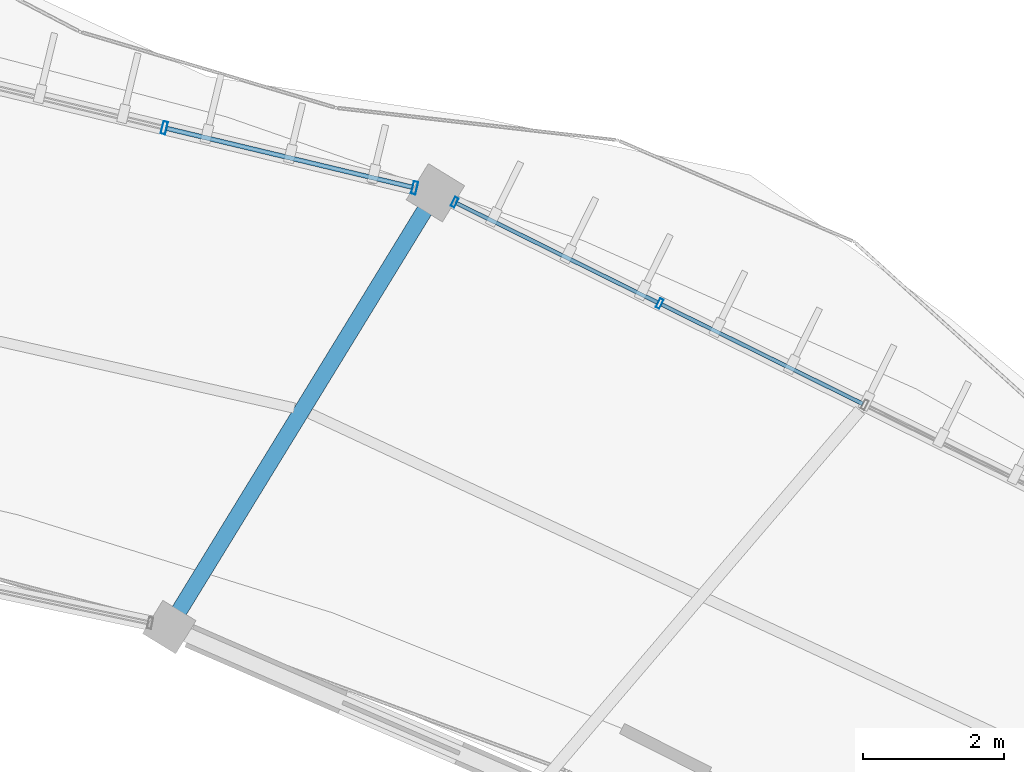
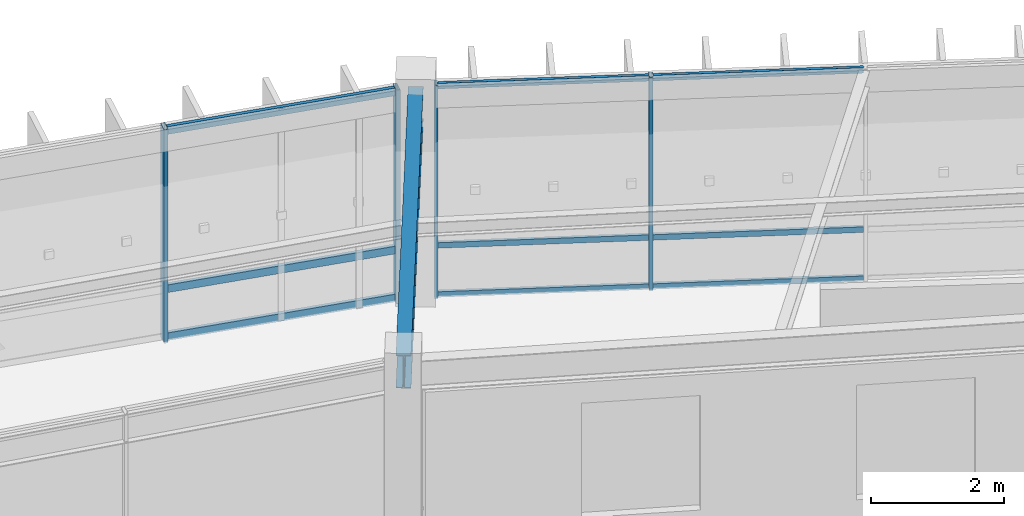
# One storey, part 51 of 83: 13 members, 1 beam, 2 elements without a shape of their own.
"""IFC4 building model written with IfcOpenShell, lengths in metres."""

from ifc_helpers import new_model, si_unit, direction, frame, origin, origin_2d, place, context, subcontext, project, spatial, hollow_rectangle, i_section, extrude, material, material_profile, profile_set, type_object, element, aggregate, save


model = new_model("IFC4")

# Units and contexts
model_context = context("Model", 3, precision=1e-05, world=origin(), true_north=direction((0.0, 1.0)))
body_context = subcontext(model_context, "Body", "Model", "MODEL_VIEW")
ifc_project = project(units=[si_unit("LENGTHUNIT", "METRE"), si_unit("AREAUNIT", "SQUARE_METRE"), si_unit("VOLUMEUNIT", "CUBIC_METRE"), si_unit("PLANEANGLEUNIT", "RADIAN"), si_unit("MASSUNIT", "GRAM", prefix="KILO"), si_unit("THERMODYNAMICTEMPERATUREUNIT", "KELVIN"), si_unit("POWERUNIT", "WATT")], contexts=[model_context])

# Site, building, storey
site_placement = place(None, origin())
site = spatial("IfcSite", under=ifc_project, at=site_placement, CompositionType="ELEMENT")
building_placement = place(site_placement, origin())
building = spatial("IfcBuilding", under=site, at=building_placement, Name="Darbajah Civic Hall", CompositionType="ELEMENT")
storey_placement = place(building_placement, frame((0.0, 0.0, 18.0)))
storey = spatial("IfcBuildingStorey", under=building, at=storey_placement, Name="L04", CompositionType="ELEMENT", Elevation=18.0)

# Curtain wall, members
ifc_material_1 = material(Name="Anodised Bronze Aluminium and Low-E Glazing", Category="aluminium")
curtain_wall_type_1 = type_object("IfcCurtainWallType", Name="Unitised Curtain Wall CW-56 12900x3900", PredefinedType="USERDEFINED", material=ifc_material_1)
curtain_wall_1_placement = place(storey_placement, origin())
curtain_wall_1 = element("IfcCurtainWall", 1, at=curtain_wall_1_placement, inside=storey, type_object=curtain_wall_type_1, Name="L04 unitised curtain wall CW-V1O-L04-02", ObjectType="UNITISED CURTAIN WALL", PredefinedType="USERDEFINED")
ifc_material_2 = material(Name="Anodised Bronze Aluminium", Category="aluminium")
ifc_material_profile_1 = material_profile(ifc_material_2, hollow_rectangle(XDim=0.054931640625, YDim=0.139892578125, WallThickness=0.003173828125, at=origin_2d()), Name="ALU MULLION 55x140")
ifc_profile_set_1 = profile_set([ifc_material_profile_1], Name="Anodised Bronze Aluminium")
member_type_1 = type_object("IfcMemberType", Name="ALU MULLION 55x140", PredefinedType="MULLION", material=ifc_profile_set_1)
member_1_placement = place(storey_placement, frame((118.916015625, 113.387451171875, 0.0), z_axis=(0.0, 0.0, 1.0), x_axis=(-0.89656374724, 0.442914717678, 0.0)))
member_1 = element("IfcMember", 2, at=member_1_placement, type_object=member_type_1, Name="CW-V1O-L04-02 mullion 4", PredefinedType="MULLION", context=body_context, shape_type="SweptSolid", body=[
    extrude(hollow_rectangle(XDim=0.054931640625, YDim=0.139892578125, WallThickness=0.003173828125, at=origin_2d()), origin(), (0.0, 0.0, 1.0), 3.919921875),
])
member_2_placement = place(storey_placement, frame((116.018310546875, 114.819091796875, 0.0), z_axis=(0.0, 0.0, 1.0), x_axis=(-0.89656374724, 0.442914717678, 0.0)))
member_2 = element("IfcMember", 3, at=member_2_placement, type_object=member_type_1, Name="CW-V1O-L04-02 mullion 5", PredefinedType="MULLION", context=body_context, shape_type="SweptSolid", body=[
    extrude(hollow_rectangle(XDim=0.054931640625, YDim=0.139892578125, WallThickness=0.003173828125, at=origin_2d()), origin(), (0.0, 0.0, 1.0), 3.919921875),
])

curtain_wall_type_2 = type_object("IfcCurtainWallType", Name="Unitised Curtain Wall CW-64 14600x3900", PredefinedType="USERDEFINED", material=ifc_material_1)
curtain_wall_2_placement = place(storey_placement, origin())
curtain_wall_2 = element("IfcCurtainWall", 4, at=curtain_wall_2_placement, inside=storey, type_object=curtain_wall_type_2, Name="L04 unitised curtain wall CW-V1O-L04-03", ObjectType="UNITISED CURTAIN WALL", PredefinedType="USERDEFINED")
ifc_material_profile_2 = material_profile(ifc_material_2, hollow_rectangle(XDim=0.06494140625, YDim=0.179931640625, WallThickness=0.00390625, at=origin_2d()), Name="ALU MULLION 65x180")
ifc_profile_set_2 = profile_set([ifc_material_profile_2], Name="Anodised Bronze Aluminium")
member_type_2 = type_object("IfcMemberType", Name="ALU MULLION 65x180", PredefinedType="MULLION", material=ifc_profile_set_2)
member_3_placement = place(storey_placement, frame((115.45361328125, 115.023193359375, 0.0), z_axis=(0.0, 0.0, 1.0), x_axis=(-0.972492018808, 0.232936200179, 0.0)))
member_3 = element("IfcMember", 5, at=member_3_placement, type_object=member_type_2, Name="CW-V1O-L04-03 mullion 1", PredefinedType="MULLION", context=body_context, shape_type="SweptSolid", body=[
    extrude(hollow_rectangle(XDim=0.06494140625, YDim=0.179931640625, WallThickness=0.00390625, at=origin_2d()), origin(), (0.0, 0.0, 1.0), 3.919921875),
])
member_4_placement = place(storey_placement, frame((111.9150390625, 115.87109375, 0.0), z_axis=(0.0, 0.0, 1.0), x_axis=(-0.972492018808, 0.232936200179, 0.0)))
member_4 = element("IfcMember", 6, at=member_4_placement, type_object=member_type_2, Name="CW-V1O-L04-03 mullion 2", PredefinedType="MULLION", context=body_context, shape_type="SweptSolid", body=[
    extrude(hollow_rectangle(XDim=0.06494140625, YDim=0.179931640625, WallThickness=0.00390625, at=origin_2d()), origin(), (0.0, 0.0, 1.0), 3.919921875),
])

# Member
ifc_material_profile_3 = material_profile(ifc_material_2, hollow_rectangle(XDim=0.054931640625, YDim=0.10009765625, WallThickness=0.0029296875, at=origin_2d()), Name="ALU TRANSOM 55x100")
ifc_profile_set_3 = profile_set([ifc_material_profile_3], Name="Anodised Bronze Aluminium")
member_type_3 = type_object("IfcMemberType", Name="ALU TRANSOM 55x100", PredefinedType="USERDEFINED", material=ifc_profile_set_3)
member_5_placement = place(storey_placement, frame((121.784912109375, 111.97021484375, 0.050048828125), z_axis=(-0.896559847895, 0.442922610782, 0.0), x_axis=(-0.442922610782, -0.896559847895, 0.0)))
member_5 = element("IfcMember", 7, at=member_5_placement, type_object=member_type_3, Name="CW-V1O-L04-02 transom 3.1", ObjectType="TRANSOM", PredefinedType="USERDEFINED", context=body_context, shape_type="SweptSolid", body=[
    extrude(hollow_rectangle(XDim=0.054931640625, YDim=0.10009765625, WallThickness=0.0029296875, at=origin_2d()), origin(), (0.0, 0.0, 1.0), 3.167236328125),
])

member_6_placement = place(storey_placement, frame((121.784912109375, 111.97021484375, 0.949951171875), z_axis=(-0.896559847895, 0.442922610782, 0.0), x_axis=(-0.442922610782, -0.896559847895, 0.0)))
member_6 = element("IfcMember", 8, at=member_6_placement, type_object=member_type_3, Name="CW-V1O-L04-02 transom 3.2", ObjectType="TRANSOM", PredefinedType="USERDEFINED", context=body_context, shape_type="SweptSolid", body=[
    extrude(hollow_rectangle(XDim=0.054931640625, YDim=0.10009765625, WallThickness=0.0029296875, at=origin_2d()), origin(), (0.0, 0.0, 1.0), 3.167236328125),
])

member_7_placement = place(storey_placement, frame((121.784912109375, 111.97021484375, 3.8701171875), z_axis=(-0.896559847895, 0.442922610782, 0.0), x_axis=(-0.442922610782, -0.896559847895, 0.0)))
member_7 = element("IfcMember", 9, at=member_7_placement, type_object=member_type_3, Name="CW-V1O-L04-02 transom 3.3", ObjectType="TRANSOM", PredefinedType="USERDEFINED", context=body_context, shape_type="SweptSolid", body=[
    extrude(hollow_rectangle(XDim=0.054931640625, YDim=0.10009765625, WallThickness=0.0029296875, at=origin_2d()), origin(), (0.0, 0.0, 1.0), 3.167236328125),
])

member_8_placement = place(storey_placement, frame((118.886962890625, 113.40185546875, 0.050048828125), z_axis=(-0.896559847895, 0.442922610782, 0.0), x_axis=(-0.442922610782, -0.896559847895, 0.0)))
member_8 = element("IfcMember", 10, at=member_8_placement, type_object=member_type_3, Name="CW-V1O-L04-02 transom 4.1", ObjectType="TRANSOM", PredefinedType="USERDEFINED", context=body_context, shape_type="SweptSolid", body=[
    extrude(hollow_rectangle(XDim=0.054931640625, YDim=0.10009765625, WallThickness=0.0029296875, at=origin_2d()), origin(), (0.0, 0.0, 1.0), 3.167236328125),
])

member_9_placement = place(storey_placement, frame((118.886962890625, 113.40185546875, 0.949951171875), z_axis=(-0.896559847895, 0.442922610782, 0.0), x_axis=(-0.442922610782, -0.896559847895, 0.0)))
member_9 = element("IfcMember", 11, at=member_9_placement, type_object=member_type_3, Name="CW-V1O-L04-02 transom 4.2", ObjectType="TRANSOM", PredefinedType="USERDEFINED", context=body_context, shape_type="SweptSolid", body=[
    extrude(hollow_rectangle(XDim=0.054931640625, YDim=0.10009765625, WallThickness=0.0029296875, at=origin_2d()), origin(), (0.0, 0.0, 1.0), 3.167236328125),
])

member_10_placement = place(storey_placement, frame((118.886962890625, 113.40185546875, 3.8701171875), z_axis=(-0.896559847895, 0.442922610782, 0.0), x_axis=(-0.442922610782, -0.896559847895, 0.0)))
member_10 = element("IfcMember", 12, at=member_10_placement, type_object=member_type_3, Name="CW-V1O-L04-02 transom 4.3", ObjectType="TRANSOM", PredefinedType="USERDEFINED", context=body_context, shape_type="SweptSolid", body=[
    extrude(hollow_rectangle(XDim=0.054931640625, YDim=0.10009765625, WallThickness=0.0029296875, at=origin_2d()), origin(), (0.0, 0.0, 1.0), 3.167236328125),
])

aggregate(curtain_wall_1, [member_1, member_2, member_5, member_6, member_7, member_8, member_9, member_10])

ifc_material_profile_4 = material_profile(ifc_material_2, hollow_rectangle(XDim=0.06494140625, YDim=0.139892578125, WallThickness=0.00341796875, at=origin_2d()), Name="ALU TRANSOM 65x140")
ifc_profile_set_4 = profile_set([ifc_material_profile_4], Name="Anodised Bronze Aluminium")
member_type_4 = type_object("IfcMemberType", Name="ALU TRANSOM 65x140", PredefinedType="USERDEFINED", material=ifc_profile_set_4)
member_11_placement = place(storey_placement, frame((115.417236328125, 115.031982421875, 0.070068359375), z_axis=(-0.972477399366, 0.232997226857, 0.0), x_axis=(-0.232997226857, -0.972477399366, 0.0)))
member_11 = element("IfcMember", 13, at=member_11_placement, type_object=member_type_4, Name="CW-V1O-L04-03 transom 1.1", ObjectType="TRANSOM", PredefinedType="USERDEFINED", context=body_context, shape_type="SweptSolid", body=[
    extrude(hollow_rectangle(XDim=0.06494140625, YDim=0.139892578125, WallThickness=0.00341796875, at=origin_2d()), origin(), (0.0, 0.0, 1.0), 3.563720703125),
])

member_12_placement = place(storey_placement, frame((115.417236328125, 115.031982421875, 0.949951171875), z_axis=(-0.972477399366, 0.232997226857, 0.0), x_axis=(-0.232997226857, -0.972477399366, 0.0)))
member_12 = element("IfcMember", 14, at=member_12_placement, type_object=member_type_4, Name="CW-V1O-L04-03 transom 1.2", ObjectType="TRANSOM", PredefinedType="USERDEFINED", context=body_context, shape_type="SweptSolid", body=[
    extrude(hollow_rectangle(XDim=0.06494140625, YDim=0.139892578125, WallThickness=0.00341796875, at=origin_2d()), origin(), (0.0, 0.0, 1.0), 3.563720703125),
])

member_13_placement = place(storey_placement, frame((115.417236328125, 115.031982421875, 3.85009765625), z_axis=(-0.972477399366, 0.232997226857, 0.0), x_axis=(-0.232997226857, -0.972477399366, 0.0)))
member_13 = element("IfcMember", 15, at=member_13_placement, type_object=member_type_4, Name="CW-V1O-L04-03 transom 1.3", ObjectType="TRANSOM", PredefinedType="USERDEFINED", context=body_context, shape_type="SweptSolid", body=[
    extrude(hollow_rectangle(XDim=0.06494140625, YDim=0.139892578125, WallThickness=0.00341796875, at=origin_2d()), origin(), (0.0, 0.0, 1.0), 3.563720703125),
])

aggregate(curtain_wall_2, [member_3, member_4, member_11, member_12, member_13])

# Beam
ifc_material_3 = material(Name="Steel S355JR", Category="steel")
ifc_material_profile_5 = material_profile(ifc_material_3, i_section(OverallWidth=0.228271484375, OverallDepth=0.607666015625, WebThickness=0.010986328125, FlangeThickness=0.017333984375, FilletRadius=0.0126953125, at=origin_2d()), Name="UB 610x229x113")
ifc_profile_set_5 = profile_set([ifc_material_profile_5], Name="Steel S355JR")
beam_type = type_object("IfcBeamType", Name="UB 610x229x113", PredefinedType="BEAM", material=ifc_profile_set_5)
beam_placement = place(storey_placement, frame((112.027099609375, 108.882080078125, 3.6162109375), z_axis=(0.522500254411, 0.852639128905, 0.0), x_axis=(-0.852639128905, 0.522500254411, 0.0)))
element("IfcBeam", 16, at=beam_placement, inside=storey, type_object=beam_type, Name="L04 beam SB-610", PredefinedType="BEAM", context=body_context, shape_type="SweptSolid", body=[
    extrude(i_section(OverallWidth=0.228271484375, OverallDepth=0.607666015625, WebThickness=0.010986328125, FlangeThickness=0.017333984375, FilletRadius=0.0126953125, at=origin_2d()), origin(), (0.0, 0.0, 1.0), 7.0400390625),
])

save(model, "model.ifc")
